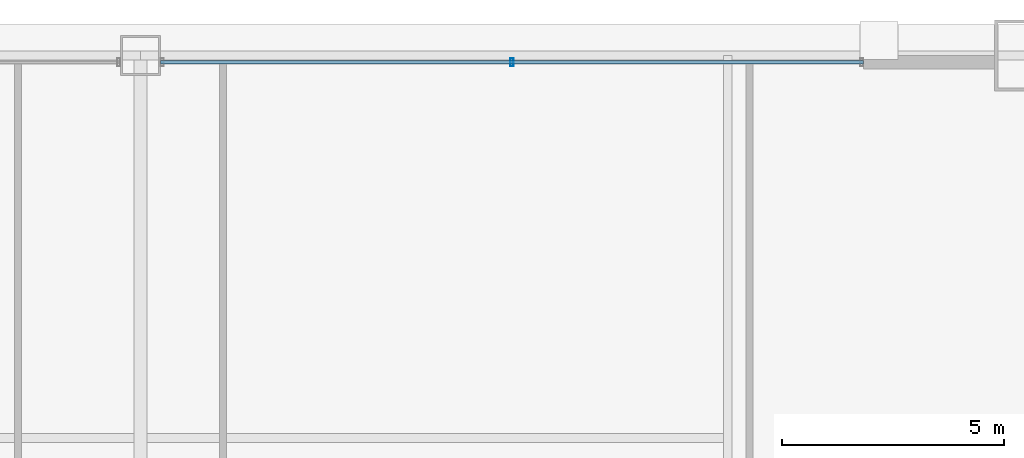
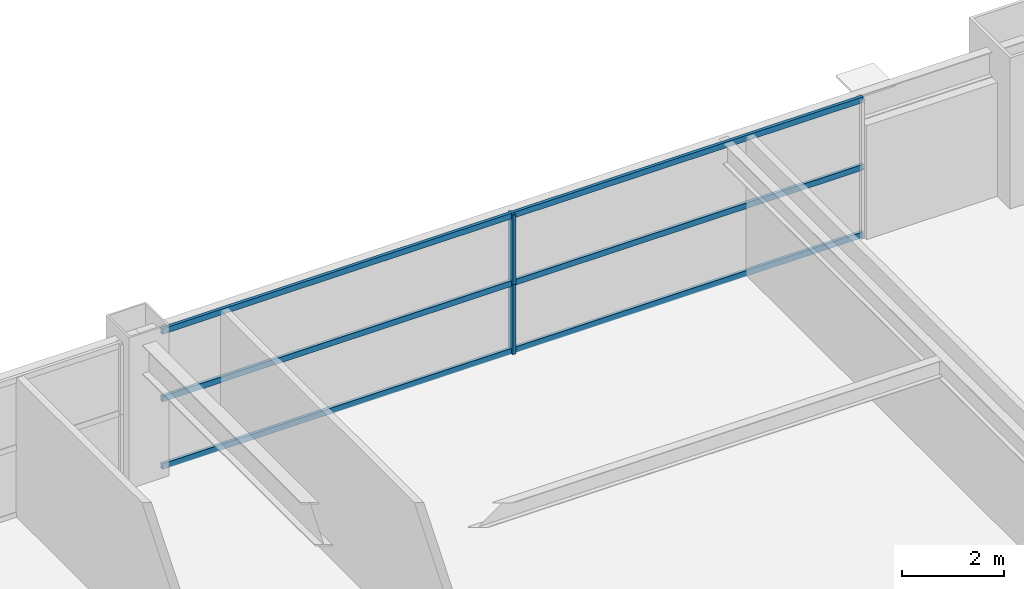
# One storey, part 30 of 38: 5 members, 1 element without a shape of its own.
"""IFC4 building model written with IfcOpenShell, lengths in metres."""

from ifc_helpers import new_model, si_unit, direction, frame, origin, origin_2d, place, context, subcontext, project, spatial, hollow_rectangle, extrude, source, transform, mapped, material, layer, layer_set, material_profile, profile_set, type_object, element, aggregate, save


model = new_model("IFC4")

# Units and contexts
model_context = context("Model", 3, precision=1e-05, world=origin(), true_north=direction((0.0, 1.0)))
body_context = subcontext(model_context, "Body", "Model", "MODEL_VIEW")
ifc_project = project(units=[si_unit("LENGTHUNIT", "METRE"), si_unit("AREAUNIT", "SQUARE_METRE"), si_unit("VOLUMEUNIT", "CUBIC_METRE"), si_unit("PLANEANGLEUNIT", "RADIAN"), si_unit("MASSUNIT", "GRAM", prefix="KILO"), si_unit("THERMODYNAMICTEMPERATUREUNIT", "KELVIN"), si_unit("POWERUNIT", "WATT")], contexts=[model_context])

# Site, building, storey
site_placement = place(None, origin())
site = spatial("IfcSite", under=ifc_project, at=site_placement, CompositionType="ELEMENT")
building_placement = place(site_placement, origin())
building = spatial("IfcBuilding", under=site, at=building_placement, Name="Yuzanri Waterfront Tower", CompositionType="ELEMENT")
storey_placement = place(building_placement, frame((0.0, 0.0, 126.199951171875)))
storey = spatial("IfcBuildingStorey", under=building, at=storey_placement, Name="L33", CompositionType="ELEMENT", Elevation=126.199951171875)

# Curtain wall, members
ifc_material_1 = material(Name="Anodized Architectural Bronze", Category="metal")
ifc_layer = layer(ifc_material_1, 0.159912109375)
ifc_layer_set = layer_set([ifc_layer], Name="Anodized Architectural Bronze")
curtain_wall_type = type_object("IfcCurtainWallType", Name="Anodized Bronze Hotel Upper-Tier Solar-Control Unitized Curtain Wall 7800", PredefinedType="NOTDEFINED", material=ifc_layer_set)
curtain_wall_placement = place(storey_placement, origin())
curtain_wall = element("IfcCurtainWall", 1, at=curtain_wall_placement, inside=storey, type_object=curtain_wall_type, Name="L33 Curtain Wall CW-L33-NR", PredefinedType="NOTDEFINED")
ifc_material_2 = material(Name="Anodized Architectural Bronze", Category="metal")
ifc_material_profile_1 = material_profile(ifc_material_2, hollow_rectangle(XDim=0.070068359375, YDim=0.179931640625, WallThickness=0.00390625, at=origin_2d()), Name="CWM 70x180")
ifc_profile_set_1 = profile_set([ifc_material_profile_1], Name="Anodized Architectural Bronze")
member_type_1 = type_object("IfcMemberType", Name="Anodized Bronze Standard Curtain-Wall Mullion 70x180", PredefinedType="MULLION", material=ifc_profile_set_1)
shared_shape_1 = source(origin(), body_context, "Body", "SweptSolid", [
    extrude(hollow_rectangle(XDim=0.070068359375, YDim=0.179931640625, WallThickness=0.00390625, at=origin_2d()), origin(), (0.0, 0.0, 1.0), 1.657958984375),
])
member_1_placement = place(storey_placement, frame((45.35009765625, 49.25, 0.0), z_axis=(0.0, 0.0, 1.0), x_axis=(1.0, 0.0, 0.0)))
member_1 = element("IfcMember", 2, at=member_1_placement, type_object=member_type_1, Name="CW-L33-NR Lower Mullion 01", PredefinedType="MULLION", context=body_context, shape_type="MappedRepresentation", body=[
    mapped(shared_shape_1, transform((0.0, 0.0, 0.0), scale=1.0)),
])
member_2_placement = place(storey_placement, frame((45.35009765625, 49.25, 1.662109375), z_axis=(0.0, 0.0, 1.0), x_axis=(1.0, 0.0, 0.0)))
member_2 = element("IfcMember", 3, at=member_2_placement, type_object=member_type_1, Name="CW-L33-NR Upper Mullion 01", PredefinedType="MULLION", context=body_context, shape_type="MappedRepresentation", body=[
    mapped(shared_shape_1, transform((0.0, 0.0, 0.0), scale=1.0)),
])
ifc_material_3 = material(Name="Anodized Architectural Bronze", Category="metal")
ifc_material_profile_2 = material_profile(ifc_material_3, hollow_rectangle(XDim=0.070068359375, YDim=0.135009765625, WallThickness=0.00341796875, at=origin_2d()), Name="CWT 70x135")
ifc_profile_set_2 = profile_set([ifc_material_profile_2], Name="Anodized Architectural Bronze")
member_type_2 = type_object("IfcMemberType", Name="Anodized Bronze Standard Curtain-Wall Transom 70x135", PredefinedType="USERDEFINED", material=ifc_profile_set_2)
shared_shape_2 = source(origin(), body_context, "Body", "SweptSolid", [
    extrude(hollow_rectangle(XDim=0.070068359375, YDim=0.135009765625, WallThickness=0.00341796875, at=origin_2d()), origin(), (0.0, 0.0, 1.0), 15.800048828125),
])
member_3_placement = place(storey_placement, frame((37.449951171875, 49.25, 0.050048828125), z_axis=(1.0, 0.0, 0.0), x_axis=(0.0, 1.0, 0.0)))
member_3 = element("IfcMember", 4, at=member_3_placement, type_object=member_type_2, Name="CW-L33-NR Transom 1", ObjectType="TRANSOM", PredefinedType="USERDEFINED", context=body_context, shape_type="MappedRepresentation", body=[
    mapped(shared_shape_2, transform((0.0, 0.0, 0.0), scale=1.0)),
])
member_4_placement = place(storey_placement, frame((37.449951171875, 49.25, 1.66015625), z_axis=(1.0, 0.0, 0.0), x_axis=(0.0, 1.0, 0.0)))
member_4 = element("IfcMember", 5, at=member_4_placement, type_object=member_type_2, Name="CW-L33-NR Transom 2", ObjectType="TRANSOM", PredefinedType="USERDEFINED", context=body_context, shape_type="MappedRepresentation", body=[
    mapped(shared_shape_2, transform((0.0, 0.0, 0.0), scale=1.0)),
])
member_5_placement = place(storey_placement, frame((37.449951171875, 49.25, 3.27001953125), z_axis=(1.0, 0.0, 0.0), x_axis=(0.0, 1.0, 0.0)))
member_5 = element("IfcMember", 6, at=member_5_placement, type_object=member_type_2, Name="CW-L33-NR Transom 3", ObjectType="TRANSOM", PredefinedType="USERDEFINED", context=body_context, shape_type="MappedRepresentation", body=[
    mapped(shared_shape_2, transform((0.0, 0.0, 0.0), scale=1.0)),
])
aggregate(curtain_wall, [member_1, member_2, member_3, member_4, member_5])

save(model, "model.ifc")
